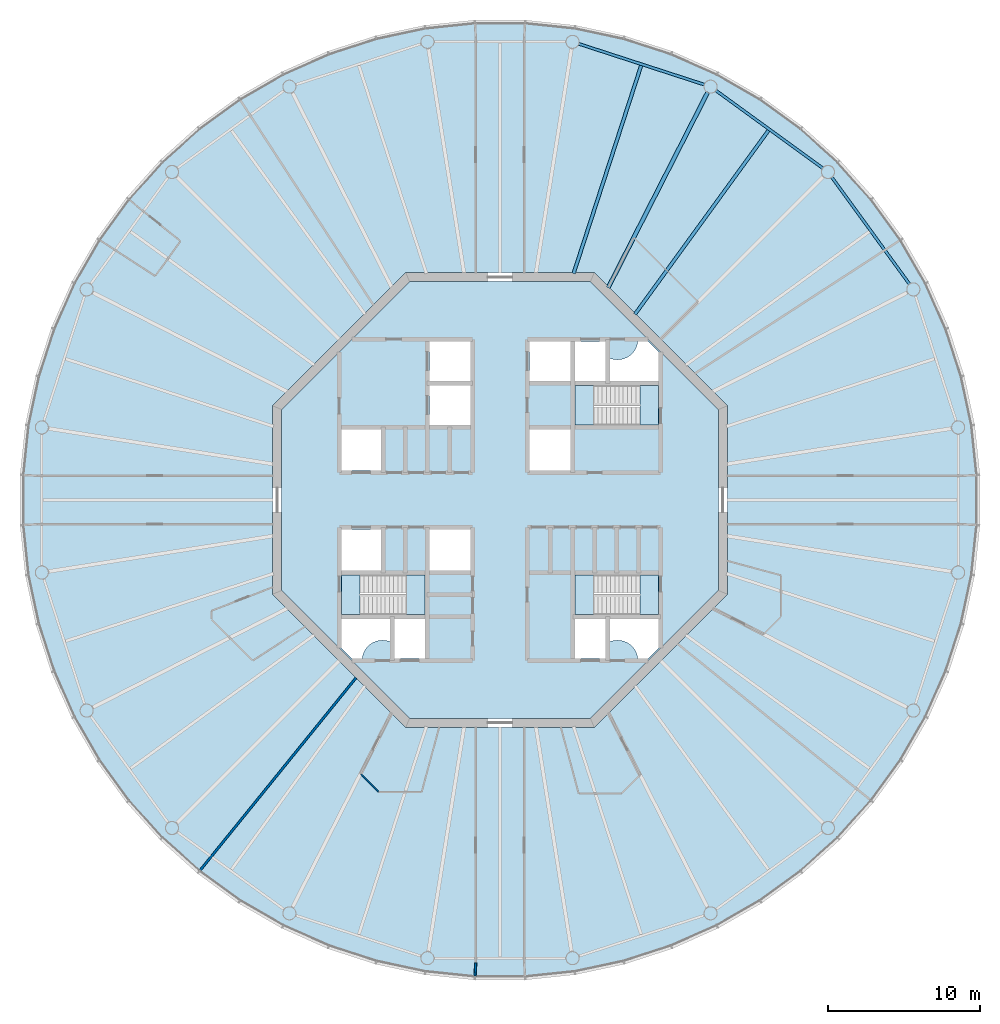
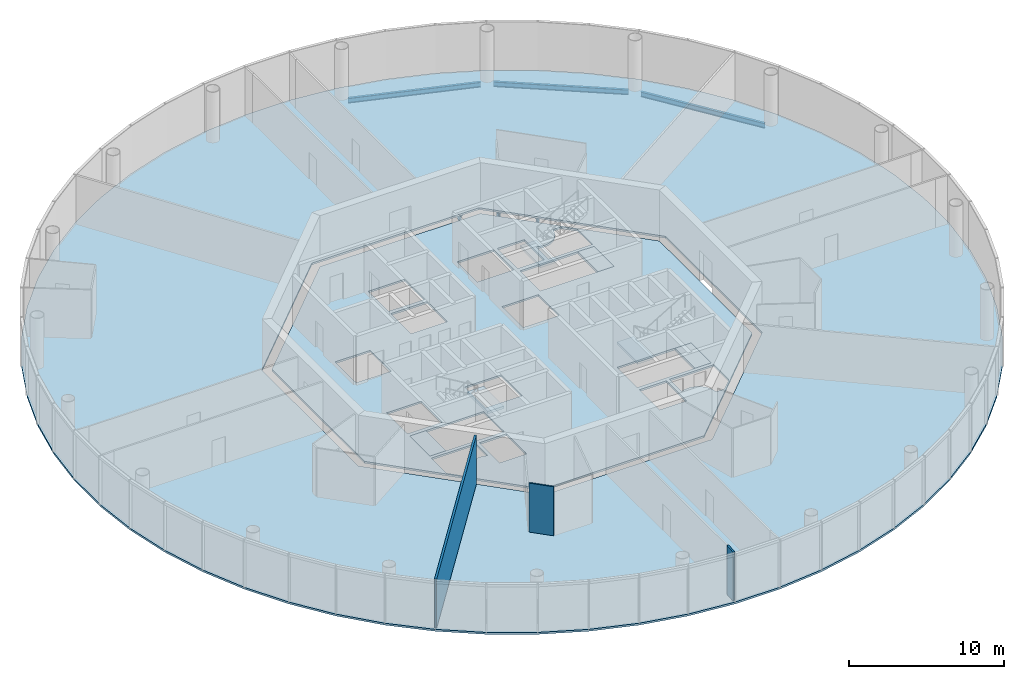
# One storey, part 2 of 13: 8 slabs, 6 beams, 3 walls, 3 elements without a shape of their own.
"""IFC4 building model written with IfcOpenShell, lengths in metres."""

from ifc_helpers import new_model, si_unit, direction, frame, frame_2d, origin, origin_2d, place, context, subcontext, project, spatial, polyline, rectangle, i_section, outline, extrude, material, layer, layer_set, material_profile, profile_set, type_object, element, aggregate, save


model = new_model("IFC4")

# Units and contexts
model_context = context("Model", 3, precision=1e-05, world=origin(), true_north=direction((0.0, 1.0)))
body_context = subcontext(model_context, "Body", "Model", "MODEL_VIEW")
ifc_project = project(units=[si_unit("LENGTHUNIT", "METRE"), si_unit("AREAUNIT", "SQUARE_METRE"), si_unit("VOLUMEUNIT", "CUBIC_METRE"), si_unit("PLANEANGLEUNIT", "RADIAN"), si_unit("MASSUNIT", "GRAM", prefix="KILO")], contexts=[model_context])

# Site, building, storey
site_placement = place(None, origin())
site = spatial("IfcSite", under=ifc_project, at=site_placement, CompositionType="ELEMENT")
building_placement = place(site_placement, origin())
building = spatial("IfcBuilding", under=site, at=building_placement, Name="Entoto Ring Tower", CompositionType="ELEMENT")
storey_placement = place(building_placement, frame((0.0, 0.0, 360.0)))
storey = spatial("IfcBuildingStorey", under=building, at=storey_placement, Name="L83", CompositionType="ELEMENT", Elevation=360.0)

# Beams
ifc_material_1 = material(Name="Steel S355", Category="steel")
ifc_material_profile_1 = material_profile(ifc_material_1, i_section(OverallWidth=0.179931640625, OverallDepth=0.39990234375, WebThickness=0.008544921875, FlangeThickness=0.013427734375, FilletRadius=0.02099609375, at=origin_2d()), Name="IPE 400")
ifc_profile_set_1 = profile_set([ifc_material_profile_1], Name="Steel S355")
beam_type_1 = type_object("IfcBeamType", Name="Edge beam IPE 400", PredefinedType="SPANDREL", material=ifc_profile_set_1)
for number, where, z_axis, x_axis, name in (
    (1, (117.017333984375, 94.232666015625, -0.35009765625), (-0.587794254874, 0.80901045354, 0.0), (-0.80901045354, -0.587794254874, 0.0), "Edge beam L83 02"),
    (2, (111.296875, 101.884765625, -0.35009765625), (-0.80901045354, 0.587794254874, 0.0), (-0.587794254874, -0.80901045354, 0.0), "Edge beam L83 03"),
):
    element("IfcBeam", number, at=place(storey_placement, frame(where, z_axis=z_axis, x_axis=x_axis)), inside=storey, type_object=beam_type_1, Name=name, PredefinedType="SPANDREL", context=body_context, shape_type="SweptSolid", body=[
        extrude(i_section(OverallWidth=0.179931640625, OverallDepth=0.39990234375, WebThickness=0.008544921875, FlangeThickness=0.013427734375, FilletRadius=0.02099609375, at=origin_2d()), origin(), (0.0, 0.0, 1.0), 8.73193359375),
    ])
beam_1_placement = place(storey_placement, frame((103.491943359375, 107.394775390625, -0.35009765625), z_axis=(-0.951052147972, 0.309030438368, 0.0), x_axis=(-0.309030438368, -0.951052147972, 0.0)))
element("IfcBeam", 3, at=beam_1_placement, inside=storey, type_object=beam_type_1, Name="Edge beam L83 04", PredefinedType="SPANDREL", context=body_context, shape_type="SweptSolid", body=[
    extrude(i_section(OverallWidth=0.179931640625, OverallDepth=0.39990234375, WebThickness=0.008544921875, FlangeThickness=0.013427734375, FilletRadius=0.02099609375, at=origin_2d()), origin(), (0.0, 0.0, 1.0), 8.732177734375),
])
ifc_material_2 = material(Name="Steel S355", Category="steel")
ifc_material_profile_2 = material_profile(ifc_material_2, i_section(OverallWidth=0.262939453125, OverallDepth=0.7529296875, WebThickness=0.011474609375, FlangeThickness=0.01708984375, FilletRadius=0.01708984375, at=origin_2d()), Name="IPE 750 x 137")
ifc_profile_set_2 = profile_set([ifc_material_profile_2], Name="Steel S355")
beam_type_2 = type_object("IfcBeamType", Name="Primary floor beam IPE 750 x 137", PredefinedType="BEAM", material=ifc_profile_set_2)
beam_2_placement = place(storey_placement, frame((97.1318359375, 93.9970703125, -0.526611328125), z_axis=(0.453991952968, 0.89100578373, 0.0), x_axis=(-0.89100578373, 0.453991952968, 0.0)))
element("IfcBeam", 4, at=beam_2_placement, inside=storey, type_object=beam_type_2, Name="Primary L83 R04", PredefinedType="BEAM", context=body_context, shape_type="SweptSolid", body=[
    extrude(i_section(OverallWidth=0.262939453125, OverallDepth=0.7529296875, WebThickness=0.011474609375, FlangeThickness=0.01708984375, FilletRadius=0.01708984375, at=origin_2d()), origin(), (0.0, 0.0, 1.0), 14.48046875),
])
ifc_material_3 = material(Name="Steel S355", Category="steel")
ifc_material_profile_3 = material_profile(ifc_material_3, i_section(OverallWidth=0.219970703125, OverallDepth=0.60009765625, WebThickness=0.011962890625, FlangeThickness=0.01904296875, FilletRadius=0.02392578125, at=origin_2d()), Name="IPE 600")
ifc_profile_set_3 = profile_set([ifc_material_profile_3], Name="Steel S355")
beam_type_3 = type_object("IfcBeamType", Name="Secondary floor beam IPE 600", PredefinedType="JOIST", material=ifc_profile_set_3)
beam_3_placement = place(storey_placement, frame((98.90478515625, 92.25634765625, -0.449951171875), z_axis=(0.587782163866, 0.809019238239, 0.0), x_axis=(-0.809019238239, 0.587782163866, 0.0)))
element("IfcBeam", 5, at=beam_3_placement, inside=storey, type_object=beam_type_3, Name="Secondary beam L83 03", PredefinedType="JOIST", context=body_context, shape_type="SweptSolid", body=[
    extrude(i_section(OverallWidth=0.219970703125, OverallDepth=0.60009765625, WebThickness=0.011962890625, FlangeThickness=0.01904296875, FilletRadius=0.02392578125, at=origin_2d()), origin(), (0.0, 0.0, 1.0), 14.983642578125),
])
beam_4_placement = place(storey_placement, frame((94.856689453125, 94.947021484375, -0.449951171875), z_axis=(0.309014850288, 0.951057212949, 0.0), x_axis=(-0.951057212949, 0.309014850288, 0.0)))
element("IfcBeam", 6, at=beam_4_placement, inside=storey, type_object=beam_type_3, Name="Secondary beam L83 04", PredefinedType="JOIST", context=body_context, shape_type="SweptSolid", body=[
    extrude(i_section(OverallWidth=0.219970703125, OverallDepth=0.60009765625, WebThickness=0.011962890625, FlangeThickness=0.01904296875, FilletRadius=0.02392578125, at=origin_2d()), origin(), (0.0, 0.0, 1.0), 14.4169921875),
])

# Slabs
ifc_material_4 = material(Name="Concrete C30/37", Category="concrete")
ifc_layer_1 = layer(ifc_material_4, 0.14990234375)
ifc_layer_set_1 = layer_set([ifc_layer_1], Name="Concrete C30/37")
slab_type_1 = type_object("IfcSlabType", Name="Composite floor slab 150 mm", PredefinedType="FLOOR", material=ifc_layer_set_1)
slab_1_placement = place(storey_placement, frame((0.0, 0.0, -0.14990234375)))
element("IfcSlab", 7, at=slab_1_placement, inside=storey, type_object=slab_type_1, Name="Floor slab L83", PredefinedType="FLOOR", context=body_context, shape_type="SweptSolid", body=[
    extrude(outline(polyline([(121.2109375, 84.943359375), (120.523193359375, 88.1787109375), (119.501220703125, 91.324462890625), (118.15576171875, 94.34619140625), (116.501953125, 97.210693359375), (114.557861328125, 99.886474609375), (112.344482421875, 102.344482421875), (109.886474609375, 104.557861328125), (107.210693359375, 106.501953125), (104.34619140625, 108.15576171875), (101.324462890625, 109.501220703125), (98.1787109375, 110.523193359375), (94.943359375, 111.2109375), (91.65380859375, 111.556640625), (88.34619140625, 111.556640625), (85.056640625, 111.2109375), (81.8212890625, 110.523193359375), (78.675537109375, 109.501220703125), (75.65380859375, 108.15576171875), (72.789306640625, 106.501953125), (70.113525390625, 104.557861328125), (67.655517578125, 102.344482421875), (65.442138671875, 99.886474609375), (63.498046875, 97.210693359375), (61.84423828125, 94.34619140625), (60.498779296875, 91.324462890625), (59.476806640625, 88.1787109375), (58.7890625, 84.943359375), (58.443359375, 81.65380859375), (58.443359375, 78.34619140625), (58.7890625, 75.056640625), (59.476806640625, 71.8212890625), (60.498779296875, 68.675537109375), (61.84423828125, 65.65380859375), (63.498046875, 62.789306640625), (65.442138671875, 60.113525390625), (67.655517578125, 57.655517578125), (70.113525390625, 55.442138671875), (72.789306640625, 53.498046875), (75.65380859375, 51.84423828125), (78.675537109375, 50.498779296875), (81.8212890625, 49.476806640625), (85.056640625, 48.7890625), (88.34619140625, 48.443359375), (91.65380859375, 48.443359375), (94.943359375, 48.7890625), (98.1787109375, 49.476806640625), (101.324462890625, 50.498779296875), (104.34619140625, 51.84423828125), (107.210693359375, 53.498046875), (109.886474609375, 55.442138671875), (112.344482421875, 57.655517578125), (114.557861328125, 60.113525390625), (116.501953125, 62.789306640625), (118.15576171875, 65.65380859375), (119.501220703125, 68.675537109375), (120.523193359375, 71.8212890625), (121.2109375, 75.056640625), (121.556640625, 78.34619140625), (121.556640625, 81.65380859375), (121.2109375, 84.943359375)]), holes=[polyline([(105.0, 73.786865234375), (105.0, 86.213134765625), (96.213134765625, 95.0), (83.786865234375, 95.0), (75.0, 86.213134765625), (75.0, 73.786865234375), (83.786865234375, 65.0), (96.213134765625, 65.0), (105.0, 73.786865234375)])]), origin(), (0.0, 0.0, 1.0), 0.14990234375),
])
ifc_material_5 = material(Name="Concrete C40/50", Category="concrete")
ifc_layer_2 = layer(ifc_material_5, 0.14990234375)
ifc_layer_set_2 = layer_set([ifc_layer_2], Name="Concrete C40/50")
slab_type_2 = type_object("IfcSlabType", Name="Core floor slab 150 mm reinforced concrete C40/50", PredefinedType="FLOOR", material=ifc_layer_set_2)
slab_2_placement = place(storey_placement, frame((0.0, 0.0, -0.14990234375)))
element("IfcSlab", 8, at=slab_2_placement, inside=storey, type_object=slab_type_2, Name="Core floor L83", PredefinedType="FLOOR", context=body_context, shape_type="SweptSolid", body=[
    extrude(outline(polyline([(104.39990234375, 74.035400390625), (104.39990234375, 85.964599609375), (95.964599609375, 94.39990234375), (84.035400390625, 94.39990234375), (75.60009765625, 85.964599609375), (75.60009765625, 74.035400390625), (84.035400390625, 65.60009765625), (95.964599609375, 65.60009765625), (104.39990234375, 74.035400390625)]), holes=[polyline([(100.449951171875, 84.949951171875), (100.449951171875, 87.550048828125), (94.949951171875, 87.550048828125), (94.949951171875, 84.949951171875), (100.449951171875, 84.949951171875)]), polyline([(85.050048828125, 72.449951171875), (85.050048828125, 75.050048828125), (79.550048828125, 75.050048828125), (79.550048828125, 72.449951171875), (85.050048828125, 72.449951171875)]), polyline([(100.449951171875, 72.449951171875), (100.449951171875, 75.050048828125), (94.949951171875, 75.050048828125), (94.949951171875, 72.449951171875), (100.449951171875, 72.449951171875)]), polyline([(94.949951171875, 90.449951171875), (94.949951171875, 87.85009765625), (96.949951171875, 87.85009765625), (96.949951171875, 90.449951171875), (94.949951171875, 90.449951171875)]), polyline([(94.949951171875, 72.14990234375), (94.949951171875, 69.550048828125), (96.949951171875, 69.550048828125), (96.949951171875, 72.14990234375), (94.949951171875, 72.14990234375)]), polyline([(83.050048828125, 72.14990234375), (83.050048828125, 69.550048828125), (85.050048828125, 69.550048828125), (85.050048828125, 72.14990234375), (83.050048828125, 72.14990234375)]), polyline([(79.550048828125, 81.949951171875), (82.14990234375, 81.949951171875), (82.14990234375, 84.64990234375), (79.550048828125, 84.64990234375), (79.550048828125, 81.949951171875)]), polyline([(79.550048828125, 75.35009765625), (82.14990234375, 75.35009765625), (82.14990234375, 78.050048828125), (79.550048828125, 78.050048828125), (79.550048828125, 75.35009765625)]), polyline([(91.949951171875, 87.85009765625), (94.64990234375, 87.85009765625), (94.64990234375, 90.449951171875), (91.949951171875, 90.449951171875), (91.949951171875, 87.85009765625)]), polyline([(91.949951171875, 81.949951171875), (94.64990234375, 81.949951171875), (94.64990234375, 84.64990234375), (91.949951171875, 84.64990234375), (91.949951171875, 81.949951171875)]), polyline([(85.35009765625, 75.35009765625), (88.050048828125, 75.35009765625), (88.050048828125, 78.050048828125), (85.35009765625, 78.050048828125), (85.35009765625, 75.35009765625)]), polyline([(85.35009765625, 84.949951171875), (88.050048828125, 84.949951171875), (88.050048828125, 87.550048828125), (85.35009765625, 87.550048828125), (85.35009765625, 84.949951171875)]), polyline([(85.35009765625, 87.85009765625), (88.050048828125, 87.85009765625), (88.050048828125, 90.449951171875), (85.35009765625, 90.449951171875), (85.35009765625, 87.85009765625)]), polyline([(97.199951171875, 89.368408203125), (97.199951171875, 87.800048828125), (100.5, 87.800048828125), (100.5, 89.723388671875), (99.723388671875, 90.5), (99.09521484375, 90.5), (99.093505859375, 90.4677734375), (99.07421875, 90.336669921875), (99.0419921875, 90.2080078125), (98.997314453125, 90.08349609375), (98.940673828125, 89.963623046875), (98.87255859375, 89.85009765625), (98.793701171875, 89.74365234375), (98.70458984375, 89.6455078125), (98.6064453125, 89.556396484375), (98.5, 89.4775390625), (98.386474609375, 89.409423828125), (98.2666015625, 89.352783203125), (98.141845703125, 89.30810546875), (98.013427734375, 89.27587890625), (97.88232421875, 89.256591796875), (97.75, 89.25), (97.61767578125, 89.256591796875), (97.486572265625, 89.27587890625), (97.358154296875, 89.30810546875), (97.2333984375, 89.352783203125), (97.199951171875, 89.368408203125)]), polyline([(80.276611328125, 69.5), (80.90478515625, 69.5), (80.906494140625, 69.5322265625), (80.92578125, 69.663330078125), (80.9580078125, 69.7919921875), (81.002685546875, 69.91650390625), (81.059326171875, 70.036376953125), (81.12744140625, 70.14990234375), (81.206298828125, 70.25634765625), (81.29541015625, 70.3544921875), (81.3935546875, 70.443603515625), (81.5, 70.5224609375), (81.613525390625, 70.590576171875), (81.7333984375, 70.647216796875), (81.858154296875, 70.69189453125), (81.986572265625, 70.72412109375), (82.11767578125, 70.743408203125), (82.25, 70.75), (82.38232421875, 70.743408203125), (82.513427734375, 70.72412109375), (82.641845703125, 70.69189453125), (82.7666015625, 70.647216796875), (82.800048828125, 70.631591796875), (82.800048828125, 72.199951171875), (79.5, 72.199951171875), (79.5, 70.276611328125), (80.276611328125, 69.5)]), polyline([(99.09521484375, 69.5), (99.723388671875, 69.5), (100.5, 70.276611328125), (100.5, 72.199951171875), (97.199951171875, 72.199951171875), (97.199951171875, 70.631591796875), (97.2333984375, 70.647216796875), (97.358154296875, 70.69189453125), (97.486572265625, 70.72412109375), (97.61767578125, 70.743408203125), (97.75, 70.75), (97.88232421875, 70.743408203125), (98.013427734375, 70.72412109375), (98.141845703125, 70.69189453125), (98.2666015625, 70.647216796875), (98.386474609375, 70.590576171875), (98.5, 70.5224609375), (98.6064453125, 70.443603515625), (98.70458984375, 70.3544921875), (98.793701171875, 70.25634765625), (98.87255859375, 70.14990234375), (98.940673828125, 70.036376953125), (98.997314453125, 69.91650390625), (99.0419921875, 69.7919921875), (99.07421875, 69.663330078125), (99.093505859375, 69.5322265625), (99.09521484375, 69.5)])]), origin(), (0.0, 0.0, 1.0), 0.14990234375),
])

# Stair, slabs
ifc_material_6 = material(Name="Concrete C40/50", Category="concrete")
stair_type = type_object("IfcStairType", Name="Exit stair 1200 mm dog-leg reinforced concrete", PredefinedType="HALF_TURN_STAIR", material=ifc_material_6)
stair_1_placement = place(storey_placement, origin())
stair_1 = element("IfcStair", 9, at=stair_1_placement, inside=storey, type_object=stair_type, Name="Exit stair 1", PredefinedType="HALF_TURN_STAIR")
ifc_material_7 = material(Name="Concrete C40/50", Category="concrete")
ifc_layer_3 = layer(ifc_material_7, 0.199951171875)
ifc_layer_set_3 = layer_set([ifc_layer_3], Name="Concrete C40/50")
slab_type_3 = type_object("IfcSlabType", Name="Stair landing 200 mm reinforced concrete", PredefinedType="LANDING", material=ifc_layer_set_3)
slab_3_placement = place(storey_placement, frame((0.0, 0.0, -0.199951171875)))
slab_3 = element("IfcSlab", 10, at=slab_3_placement, type_object=slab_type_3, Name="ST1 landing 1", PredefinedType="LANDING", context=body_context, shape_type="SweptSolid", body=[
    extrude(outline(polyline([(100.449951171875, 84.949951171875), (100.449951171875, 87.550048828125), (99.25, 87.550048828125), (99.25, 84.949951171875), (100.449951171875, 84.949951171875)])), origin(), (0.0, 0.0, 1.0), 0.199951171875),
])
slab_4_placement = place(storey_placement, frame((0.0, 0.0, 1.800048828125)))
slab_4 = element("IfcSlab", 11, at=slab_4_placement, type_object=slab_type_3, Name="ST1 landing 2", PredefinedType="LANDING", context=body_context, shape_type="SweptSolid", body=[
    extrude(outline(polyline([(94.949951171875, 84.949951171875), (96.169921875, 84.949951171875), (96.169921875, 87.550048828125), (94.949951171875, 87.550048828125), (94.949951171875, 84.949951171875)])), origin(), (0.0, 0.0, 1.0), 0.199951171875),
])
aggregate(stair_1, [slab_3, slab_4])

stair_2_placement = place(storey_placement, origin())
stair_2 = element("IfcStair", 12, at=stair_2_placement, inside=storey, type_object=stair_type, Name="Exit stair 2", PredefinedType="HALF_TURN_STAIR")
slab_5_placement = place(storey_placement, frame((0.0, 0.0, -0.199951171875)))
slab_5 = element("IfcSlab", 13, at=slab_5_placement, type_object=slab_type_3, Name="ST2 landing 1", PredefinedType="LANDING", context=body_context, shape_type="SweptSolid", body=[
    extrude(outline(polyline([(80.75, 72.449951171875), (80.75, 75.050048828125), (79.550048828125, 75.050048828125), (79.550048828125, 72.449951171875), (80.75, 72.449951171875)])), origin(), (0.0, 0.0, 1.0), 0.199951171875),
])
slab_6_placement = place(storey_placement, frame((0.0, 0.0, 1.800048828125)))
slab_6 = element("IfcSlab", 14, at=slab_6_placement, type_object=slab_type_3, Name="ST2 landing 2", PredefinedType="LANDING", context=body_context, shape_type="SweptSolid", body=[
    extrude(outline(polyline([(83.830078125, 72.449951171875), (85.050048828125, 72.449951171875), (85.050048828125, 75.050048828125), (83.830078125, 75.050048828125), (83.830078125, 72.449951171875)])), origin(), (0.0, 0.0, 1.0), 0.199951171875),
])
aggregate(stair_2, [slab_5, slab_6])

stair_3_placement = place(storey_placement, origin())
stair_3 = element("IfcStair", 15, at=stair_3_placement, inside=storey, type_object=stair_type, Name="Exit stair 3", PredefinedType="HALF_TURN_STAIR")
slab_7_placement = place(storey_placement, frame((0.0, 0.0, -0.199951171875)))
slab_7 = element("IfcSlab", 16, at=slab_7_placement, type_object=slab_type_3, Name="ST3 landing 1", PredefinedType="LANDING", context=body_context, shape_type="SweptSolid", body=[
    extrude(outline(polyline([(100.449951171875, 72.449951171875), (100.449951171875, 75.050048828125), (99.25, 75.050048828125), (99.25, 72.449951171875), (100.449951171875, 72.449951171875)])), origin(), (0.0, 0.0, 1.0), 0.199951171875),
])
slab_8_placement = place(storey_placement, frame((0.0, 0.0, 1.800048828125)))
slab_8 = element("IfcSlab", 17, at=slab_8_placement, type_object=slab_type_3, Name="ST3 landing 2", PredefinedType="LANDING", context=body_context, shape_type="SweptSolid", body=[
    extrude(outline(polyline([(94.949951171875, 72.449951171875), (96.169921875, 72.449951171875), (96.169921875, 75.050048828125), (94.949951171875, 75.050048828125), (94.949951171875, 72.449951171875)])), origin(), (0.0, 0.0, 1.0), 0.199951171875),
])
aggregate(stair_3, [slab_7, slab_8])

# Walls
ifc_material_8 = material(Name="Fire-resisting plasterboard on steel studs", Category="steel")
ifc_layer_4 = layer(ifc_material_8, 0.125)
ifc_layer_set_4 = layer_set([ifc_layer_4], Name="Fire-resisting plasterboard on steel studs")
wall_type_1 = type_object("IfcWallType", Name="Corridor wall 125 mm one-hour plasterboard on steel studs", PredefinedType="PARTITIONING", material=ifc_layer_set_4)
wall_1_placement = place(storey_placement, frame((88.3544921875, 48.60302734375, 0.0), z_axis=(0.0, 0.0, 1.0), x_axis=(0.052499574911, 0.998620946423, 0.0)))
element("IfcWall", 18, at=wall_1_placement, inside=storey, type_object=wall_type_1, Name="partition-L83-011", PredefinedType="PARTITIONING", context=body_context, shape_type="SweptSolid", body=[
    extrude(rectangle(XDim=0.864990234375, YDim=0.125, at=frame_2d((0.4326171875, 0.0))), origin(), (0.0, 0.0, 1.0), 3.85009765625),
])
ifc_material_9 = material(Name="Plasterboard on steel studs", Category="steel")
ifc_layer_5 = layer(ifc_material_9, 0.10009765625)
ifc_layer_set_5 = layer_set([ifc_layer_5], Name="Plasterboard on steel studs")
wall_type_2 = type_object("IfcWallType", Name="Partition 100 mm plasterboard on steel studs", PredefinedType="PARTITIONING", material=ifc_layer_set_5)
wall_2_placement = place(storey_placement, frame((81.993408203125, 60.7548828125, 0.0), z_axis=(0.0, 0.0, 1.0), x_axis=(-0.707181295837, 0.707032258683, 0.0)))
element("IfcWall", 19, at=wall_2_placement, inside=storey, type_object=wall_type_2, Name="partition-L83-040", PredefinedType="PARTITIONING", context=body_context, shape_type="SweptSolid", body=[
    extrude(rectangle(XDim=1.63818359375, YDim=0.10009765625, at=frame_2d((0.819091796875, 0.0))), origin(), (0.0, 0.0, 1.0), 3.85009765625),
])
ifc_material_10 = material(Name="Fire-resisting acoustic plasterboard on steel studs", Category="steel")
ifc_layer_6 = layer(ifc_material_10, 0.14990234375)
ifc_layer_set_6 = layer_set([ifc_layer_6], Name="Fire-resisting acoustic plasterboard on steel studs")
wall_type_3 = type_object("IfcWallType", Name="Party wall 150 mm one-hour acoustic plasterboard on steel studs", PredefinedType="PARTITIONING", material=ifc_layer_set_6)
wall_3_placement = place(storey_placement, frame((70.214111328125, 55.56640625, 0.0), z_axis=(0.0, 0.0, 1.0), x_axis=(0.629323592667, 0.777143368827, 0.0)))
element("IfcWall", 20, at=wall_3_placement, inside=storey, type_object=wall_type_3, Name="partition-L83-017", PredefinedType="PARTITIONING", context=body_context, shape_type="SweptSolid", body=[
    extrude(rectangle(XDim=16.357666015625, YDim=0.14990234375, at=frame_2d((8.1787109375, 0.0))), origin(), (0.0, 0.0, 1.0), 3.85009765625),
])

save(model, "model.ifc")
